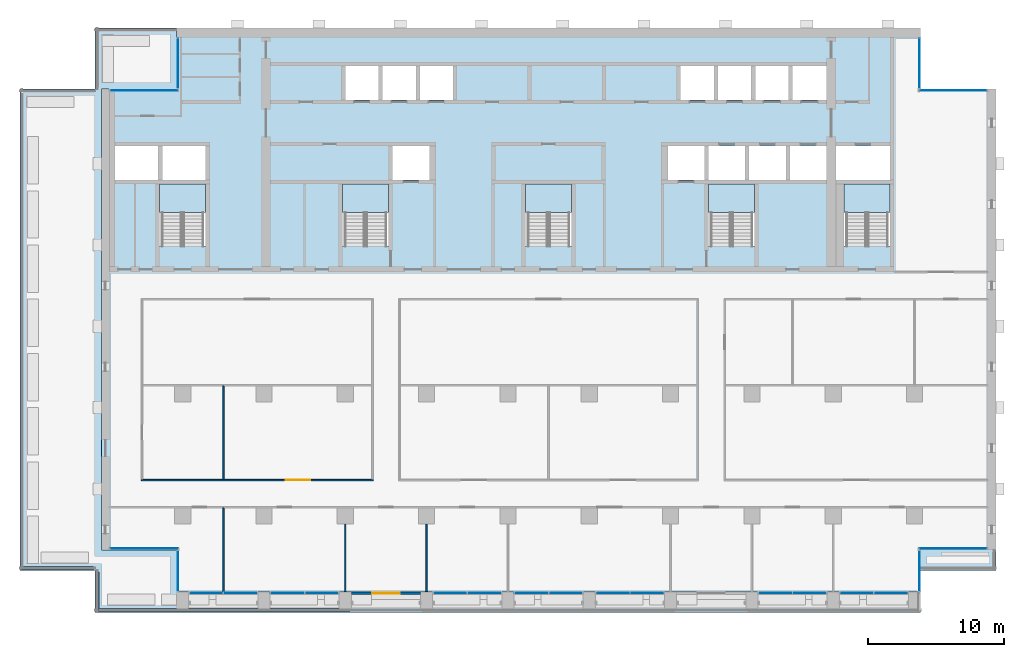
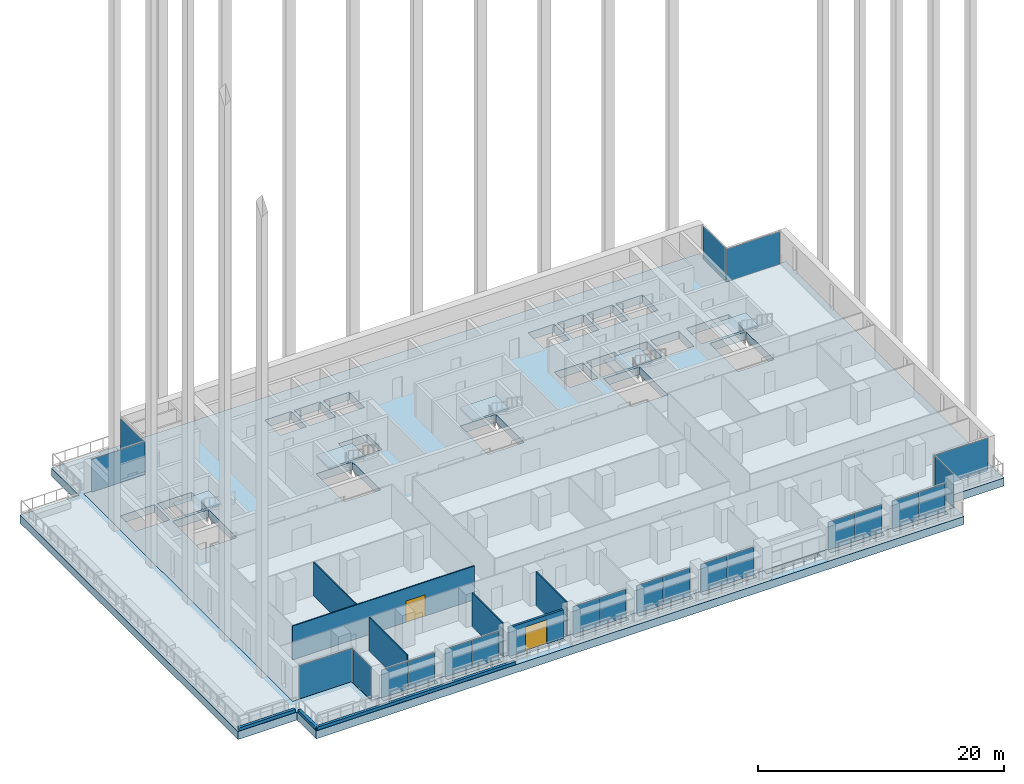
# One storey, part 7 of 19: 22 plates, 9 walls, 7 slabs, 2 doors, 2 openings, 20 elements without a shape of their own.
"""IFC4 building model written with IfcOpenShell, lengths in metres."""

from ifc_helpers import new_model, si_unit, direction, frame, frame_2d, origin, origin_2d, place, context, subcontext, project, spatial, polyline, rectangle, outline, extrude, material, layer, layer_set, type_object, element, fill, aggregate, save


model = new_model("IFC4")

# Units and contexts
model_context = context("Model", 3, precision=1e-05, world=origin(), true_north=direction((0.0, 1.0)))
body_context = subcontext(model_context, "Body", "Model", "MODEL_VIEW")
ifc_project = project(units=[si_unit("LENGTHUNIT", "METRE"), si_unit("AREAUNIT", "SQUARE_METRE"), si_unit("VOLUMEUNIT", "CUBIC_METRE"), si_unit("PLANEANGLEUNIT", "RADIAN"), si_unit("MASSUNIT", "GRAM", prefix="KILO")], contexts=[model_context])

# Site, building, storey
site_placement = place(None, origin())
site = spatial("IfcSite", under=ifc_project, at=site_placement, CompositionType="ELEMENT")
building_placement = place(site_placement, origin())
building = spatial("IfcBuilding", under=site, at=building_placement, Name="Calvaro Tower", CompositionType="ELEMENT")
storey_placement = place(building_placement, frame((0.0, 0.0, 166.75)))
storey = spatial("IfcBuildingStorey", under=building, at=storey_placement, Name="L41", CompositionType="ELEMENT", Elevation=166.75)

# Slab
ifc_material_1 = material(Name="Concrete C40/50", Category="concrete")
ifc_layer_1 = layer(ifc_material_1, 0.800048828125)
ifc_layer_set_1 = layer_set([ifc_layer_1], Name="Concrete C40/50")
slab_type_1 = type_object("IfcSlabType", Name="Floor slab 800 C40/50", PredefinedType="FLOOR", material=ifc_layer_set_1)
slab_1_placement = place(storey_placement, frame((0.0, 0.0, -0.800048828125)))
element("IfcSlab", 1, at=slab_1_placement, inside=storey, type_object=slab_type_1, Name="Floor slab", PredefinedType="FLOOR", context=body_context, shape_type="SweptSolid", body=[
    extrude(outline(polyline([(66.449951171875, 6.0), (66.449951171875, 4.39990234375), (11.550048828125, 4.39990234375), (11.550048828125, 7.5), (6.0, 7.5), (6.0, 41.5), (11.550048828125, 41.5), (11.550048828125, 46.0), (66.449951171875, 46.0), (66.449951171875, 41.5), (72.0, 41.5), (72.0, 7.5), (72.0, 6.0), (66.449951171875, 6.0)]), holes=[polyline([(10.300048828125, 29.909912109375), (10.300048828125, 34.5), (12.0, 34.5), (13.699951171875, 34.5), (13.699951171875, 29.909912109375), (12.0, 29.909912109375), (10.300048828125, 29.909912109375)]), polyline([(23.800048828125, 29.909912109375), (23.800048828125, 34.5), (25.5, 34.5), (27.199951171875, 34.5), (27.199951171875, 29.909912109375), (25.5, 29.909912109375), (23.800048828125, 29.909912109375)]), polyline([(37.300048828125, 29.909912109375), (37.300048828125, 34.5), (39.0, 34.5), (40.699951171875, 34.5), (40.699951171875, 29.909912109375), (39.0, 29.909912109375), (37.300048828125, 29.909912109375)]), polyline([(50.800048828125, 29.909912109375), (50.800048828125, 34.5), (52.5, 34.5), (54.199951171875, 34.5), (54.199951171875, 29.909912109375), (52.5, 29.909912109375), (50.800048828125, 29.909912109375)]), polyline([(60.800048828125, 29.909912109375), (60.800048828125, 34.5), (62.5, 34.5), (64.199951171875, 34.5), (64.199951171875, 29.909912109375), (62.5, 29.909912109375), (60.800048828125, 29.909912109375)]), polyline([(50.800048828125, 34.800048828125), (53.5, 34.800048828125), (53.5, 37.300048828125), (50.800048828125, 37.300048828125), (50.800048828125, 34.800048828125)]), polyline([(53.800048828125, 34.800048828125), (56.5, 34.800048828125), (56.5, 37.300048828125), (53.800048828125, 37.300048828125), (53.800048828125, 34.800048828125)]), polyline([(56.800048828125, 34.800048828125), (59.5, 34.800048828125), (59.5, 37.300048828125), (56.800048828125, 37.300048828125), (56.800048828125, 34.800048828125)]), polyline([(24.0, 40.699951171875), (26.449951171875, 40.699951171875), (26.449951171875, 43.199951171875), (24.0, 43.199951171875), (24.0, 40.699951171875)]), polyline([(26.75, 40.699951171875), (29.199951171875, 40.699951171875), (29.199951171875, 43.199951171875), (26.75, 43.199951171875), (26.75, 40.699951171875)]), polyline([(29.5, 40.699951171875), (31.949951171875, 40.699951171875), (31.949951171875, 43.199951171875), (29.5, 43.199951171875), (29.5, 40.699951171875)]), polyline([(48.75, 40.699951171875), (51.199951171875, 40.699951171875), (51.199951171875, 43.199951171875), (48.75, 43.199951171875), (48.75, 40.699951171875)]), polyline([(51.5, 40.699951171875), (53.949951171875, 40.699951171875), (53.949951171875, 43.199951171875), (51.5, 43.199951171875), (51.5, 40.699951171875)]), polyline([(54.25, 40.699951171875), (56.699951171875, 40.699951171875), (56.699951171875, 43.199951171875), (54.25, 43.199951171875), (54.25, 40.699951171875)]), polyline([(57.0, 40.699951171875), (59.5, 40.699951171875), (59.5, 43.199951171875), (57.0, 43.199951171875), (57.0, 40.699951171875)]), polyline([(7.0, 34.800048828125), (10.199951171875, 34.800048828125), (10.199951171875, 37.300048828125), (7.0, 37.300048828125), (7.0, 34.800048828125)]), polyline([(10.5, 34.800048828125), (13.699951171875, 34.800048828125), (13.699951171875, 37.300048828125), (10.5, 37.300048828125), (10.5, 34.800048828125)]), polyline([(60.199951171875, 34.800048828125), (64.199951171875, 34.800048828125), (64.199951171875, 37.300048828125), (60.199951171875, 37.300048828125), (60.199951171875, 34.800048828125)]), polyline([(27.5, 34.800048828125), (30.199951171875, 34.800048828125), (30.199951171875, 37.300048828125), (27.5, 37.300048828125), (27.5, 34.800048828125)]), polyline([(47.800048828125, 34.800048828125), (50.5, 34.800048828125), (50.5, 37.300048828125), (47.800048828125, 37.300048828125), (47.800048828125, 34.800048828125)])]), origin(), (0.0, 0.0, 1.0), 0.800048828125),
])

# Curtain wall, plates
ifc_material_2 = material(Name="Anodised aluminium", Category="aluminium")
curtain_wall_type = type_object("IfcCurtainWallType", Name="Office curtain wall, upper zone", PredefinedType="NOTDEFINED", material=ifc_material_2)
curtain_wall_1_placement = place(storey_placement, origin())
curtain_wall_1 = element("IfcCurtainWall", 2, at=curtain_wall_1_placement, inside=storey, type_object=curtain_wall_type, Name="CW3 south curtain wall", PredefinedType="NOTDEFINED")
ifc_material_3 = material(Name="Glass", Category="glass")
ifc_layer_2 = layer(ifc_material_3, 0.035888671875)
ifc_layer_set_2 = layer_set([ifc_layer_2], Name="Glass")
plate_type = type_object("IfcPlateType", Name="Glass panel S3 36", PredefinedType="CURTAIN_PANEL", material=ifc_layer_set_2)
plate_1_placement = place(storey_placement, frame((13.739990234375, 4.31005859375, 0.0), z_axis=(0.0, 0.0, 1.0), x_axis=(1.0, 0.0, 0.0)))
plate_1 = element("IfcPlate", 3, at=plate_1_placement, type_object=plate_type, Name="CW3 glass panel 1.1", PredefinedType="CURTAIN_PANEL", context=body_context, shape_type="SweptSolid", body=[
    extrude(rectangle(XDim=2.4599609375, YDim=0.035888671875, at=origin_2d()), origin(), (0.0, 0.0, 1.0), 2.75),
])
plate_2_placement = place(storey_placement, frame((16.260009765625, 4.31005859375, 0.0), z_axis=(0.0, 0.0, 1.0), x_axis=(1.0, 0.0, 0.0)))
plate_2 = element("IfcPlate", 4, at=plate_2_placement, type_object=plate_type, Name="CW3 glass panel 2.1", PredefinedType="CURTAIN_PANEL", context=body_context, shape_type="SweptSolid", body=[
    extrude(rectangle(XDim=2.4599609375, YDim=0.035888671875, at=origin_2d()), origin(), (0.0, 0.0, 1.0), 2.75),
])
aggregate(curtain_wall_1, [plate_1, plate_2])

curtain_wall_2_placement = place(storey_placement, origin())
curtain_wall_2 = element("IfcCurtainWall", 5, at=curtain_wall_2_placement, inside=storey, type_object=curtain_wall_type, Name="CW3 south curtain wall", PredefinedType="NOTDEFINED")
plate_3_placement = place(storey_placement, frame((19.739990234375, 4.31005859375, 0.0), z_axis=(0.0, 0.0, 1.0), x_axis=(1.0, 0.0, 0.0)))
plate_3 = element("IfcPlate", 6, at=plate_3_placement, type_object=plate_type, Name="CW3 glass panel 1.1", PredefinedType="CURTAIN_PANEL", context=body_context, shape_type="SweptSolid", body=[
    extrude(rectangle(XDim=2.4599609375, YDim=0.035888671875, at=origin_2d()), origin(), (0.0, 0.0, 1.0), 2.75),
])
plate_4_placement = place(storey_placement, frame((22.260009765625, 4.31005859375, 0.0), z_axis=(0.0, 0.0, 1.0), x_axis=(1.0, 0.0, 0.0)))
plate_4 = element("IfcPlate", 7, at=plate_4_placement, type_object=plate_type, Name="CW3 glass panel 2.1", PredefinedType="CURTAIN_PANEL", context=body_context, shape_type="SweptSolid", body=[
    extrude(rectangle(XDim=2.4599609375, YDim=0.035888671875, at=origin_2d()), origin(), (0.0, 0.0, 1.0), 2.75),
])
aggregate(curtain_wall_2, [plate_3, plate_4])

curtain_wall_3_placement = place(storey_placement, origin())
curtain_wall_3 = element("IfcCurtainWall", 8, at=curtain_wall_3_placement, inside=storey, type_object=curtain_wall_type, Name="CW3 south curtain wall", PredefinedType="NOTDEFINED")
plate_5_placement = place(storey_placement, frame((31.739990234375, 4.31005859375, 0.0), z_axis=(0.0, 0.0, 1.0), x_axis=(1.0, 0.0, 0.0)))
plate_5 = element("IfcPlate", 9, at=plate_5_placement, type_object=plate_type, Name="CW3 glass panel 1.1", PredefinedType="CURTAIN_PANEL", context=body_context, shape_type="SweptSolid", body=[
    extrude(rectangle(XDim=2.4599609375, YDim=0.035888671875, at=origin_2d()), origin(), (0.0, 0.0, 1.0), 2.75),
])
plate_6_placement = place(storey_placement, frame((34.260009765625, 4.31005859375, 0.0), z_axis=(0.0, 0.0, 1.0), x_axis=(1.0, 0.0, 0.0)))
plate_6 = element("IfcPlate", 10, at=plate_6_placement, type_object=plate_type, Name="CW3 glass panel 2.1", PredefinedType="CURTAIN_PANEL", context=body_context, shape_type="SweptSolid", body=[
    extrude(rectangle(XDim=2.4599609375, YDim=0.035888671875, at=origin_2d()), origin(), (0.0, 0.0, 1.0), 2.75),
])
aggregate(curtain_wall_3, [plate_5, plate_6])

curtain_wall_4_placement = place(storey_placement, origin())
curtain_wall_4 = element("IfcCurtainWall", 11, at=curtain_wall_4_placement, inside=storey, type_object=curtain_wall_type, Name="CW3 south curtain wall", PredefinedType="NOTDEFINED")
plate_7_placement = place(storey_placement, frame((37.739990234375, 4.31005859375, 0.0), z_axis=(0.0, 0.0, 1.0), x_axis=(1.0, 0.0, 0.0)))
plate_7 = element("IfcPlate", 12, at=plate_7_placement, type_object=plate_type, Name="CW3 glass panel 1.1", PredefinedType="CURTAIN_PANEL", context=body_context, shape_type="SweptSolid", body=[
    extrude(rectangle(XDim=2.4599609375, YDim=0.035888671875, at=origin_2d()), origin(), (0.0, 0.0, 1.0), 2.75),
])
plate_8_placement = place(storey_placement, frame((40.260009765625, 4.31005859375, 0.0), z_axis=(0.0, 0.0, 1.0), x_axis=(1.0, 0.0, 0.0)))
plate_8 = element("IfcPlate", 13, at=plate_8_placement, type_object=plate_type, Name="CW3 glass panel 2.1", PredefinedType="CURTAIN_PANEL", context=body_context, shape_type="SweptSolid", body=[
    extrude(rectangle(XDim=2.4599609375, YDim=0.035888671875, at=origin_2d()), origin(), (0.0, 0.0, 1.0), 2.75),
])
aggregate(curtain_wall_4, [plate_7, plate_8])

curtain_wall_5_placement = place(storey_placement, origin())
curtain_wall_5 = element("IfcCurtainWall", 14, at=curtain_wall_5_placement, inside=storey, type_object=curtain_wall_type, Name="CW3 south curtain wall", PredefinedType="NOTDEFINED")
plate_9_placement = place(storey_placement, frame((43.739990234375, 4.31005859375, 0.0), z_axis=(0.0, 0.0, 1.0), x_axis=(1.0, 0.0, 0.0)))
plate_9 = element("IfcPlate", 15, at=plate_9_placement, type_object=plate_type, Name="CW3 glass panel 1.1", PredefinedType="CURTAIN_PANEL", context=body_context, shape_type="SweptSolid", body=[
    extrude(rectangle(XDim=2.4599609375, YDim=0.035888671875, at=origin_2d()), origin(), (0.0, 0.0, 1.0), 2.75),
])
plate_10_placement = place(storey_placement, frame((46.260009765625, 4.31005859375, 0.0), z_axis=(0.0, 0.0, 1.0), x_axis=(1.0, 0.0, 0.0)))
plate_10 = element("IfcPlate", 16, at=plate_10_placement, type_object=plate_type, Name="CW3 glass panel 2.1", PredefinedType="CURTAIN_PANEL", context=body_context, shape_type="SweptSolid", body=[
    extrude(rectangle(XDim=2.4599609375, YDim=0.035888671875, at=origin_2d()), origin(), (0.0, 0.0, 1.0), 2.75),
])
aggregate(curtain_wall_5, [plate_9, plate_10])

curtain_wall_6_placement = place(storey_placement, origin())
curtain_wall_6 = element("IfcCurtainWall", 17, at=curtain_wall_6_placement, inside=storey, type_object=curtain_wall_type, Name="CW3 south curtain wall", PredefinedType="NOTDEFINED")
plate_11_placement = place(storey_placement, frame((55.739990234375, 4.31005859375, 0.0), z_axis=(0.0, 0.0, 1.0), x_axis=(1.0, 0.0, 0.0)))
plate_11 = element("IfcPlate", 18, at=plate_11_placement, type_object=plate_type, Name="CW3 glass panel 1.1", PredefinedType="CURTAIN_PANEL", context=body_context, shape_type="SweptSolid", body=[
    extrude(rectangle(XDim=2.4599609375, YDim=0.035888671875, at=origin_2d()), origin(), (0.0, 0.0, 1.0), 2.75),
])
plate_12_placement = place(storey_placement, frame((58.260009765625, 4.31005859375, 0.0), z_axis=(0.0, 0.0, 1.0), x_axis=(1.0, 0.0, 0.0)))
plate_12 = element("IfcPlate", 19, at=plate_12_placement, type_object=plate_type, Name="CW3 glass panel 2.1", PredefinedType="CURTAIN_PANEL", context=body_context, shape_type="SweptSolid", body=[
    extrude(rectangle(XDim=2.4599609375, YDim=0.035888671875, at=origin_2d()), origin(), (0.0, 0.0, 1.0), 2.75),
])
aggregate(curtain_wall_6, [plate_11, plate_12])

curtain_wall_7_placement = place(storey_placement, origin())
curtain_wall_7 = element("IfcCurtainWall", 20, at=curtain_wall_7_placement, inside=storey, type_object=curtain_wall_type, Name="CW3 south curtain wall", PredefinedType="NOTDEFINED")
plate_13_placement = place(storey_placement, frame((61.739990234375, 4.31005859375, 0.0), z_axis=(0.0, 0.0, 1.0), x_axis=(1.0, 0.0, 0.0)))
plate_13 = element("IfcPlate", 21, at=plate_13_placement, type_object=plate_type, Name="CW3 glass panel 1.1", PredefinedType="CURTAIN_PANEL", context=body_context, shape_type="SweptSolid", body=[
    extrude(rectangle(XDim=2.4599609375, YDim=0.035888671875, at=origin_2d()), origin(), (0.0, 0.0, 1.0), 2.75),
])
plate_14_placement = place(storey_placement, frame((64.260009765625, 4.31005859375, 0.0), z_axis=(0.0, 0.0, 1.0), x_axis=(1.0, 0.0, 0.0)))
plate_14 = element("IfcPlate", 22, at=plate_14_placement, type_object=plate_type, Name="CW3 glass panel 2.1", PredefinedType="CURTAIN_PANEL", context=body_context, shape_type="SweptSolid", body=[
    extrude(rectangle(XDim=2.4599609375, YDim=0.035888671875, at=origin_2d()), origin(), (0.0, 0.0, 1.0), 2.75),
])
aggregate(curtain_wall_7, [plate_13, plate_14])

# Curtain wall, plate
curtain_wall_8_placement = place(storey_placement, origin())
curtain_wall_8 = element("IfcCurtainWall", 23, at=curtain_wall_8_placement, inside=storey, type_object=curtain_wall_type, Name="CW3 corner curtain wall", PredefinedType="NOTDEFINED")
plate_15_placement = place(storey_placement, frame((11.639892578125, 5.949951171875, 0.0), z_axis=(0.0, 0.0, 1.0), x_axis=(0.0, 1.0, 0.0)))
plate_15 = element("IfcPlate", 24, at=plate_15_placement, type_object=plate_type, Name="CW3 glass panel 1.1", PredefinedType="CURTAIN_PANEL", context=body_context, shape_type="SweptSolid", body=[
    extrude(rectangle(XDim=2.97998046875, YDim=0.035888671875, at=origin_2d()), origin(), (0.0, 0.0, 1.0), 3.25),
])
aggregate(curtain_wall_8, [plate_15])

curtain_wall_9_placement = place(storey_placement, origin())
curtain_wall_9 = element("IfcCurtainWall", 25, at=curtain_wall_9_placement, inside=storey, type_object=curtain_wall_type, Name="CW3 corner curtain wall", PredefinedType="NOTDEFINED")
plate_16_placement = place(storey_placement, frame((9.1650390625, 7.590087890625, 0.0), z_axis=(0.0, 0.0, 1.0), x_axis=(1.0, 0.0, 0.0)))
plate_16 = element("IfcPlate", 26, at=plate_16_placement, type_object=plate_type, Name="CW3 glass panel 1.1", PredefinedType="CURTAIN_PANEL", context=body_context, shape_type="SweptSolid", body=[
    extrude(rectangle(XDim=5.010009765625, YDim=0.035888671875, at=origin_2d()), origin(), (0.0, 0.0, 1.0), 3.25),
])
aggregate(curtain_wall_9, [plate_16])

curtain_wall_10_placement = place(storey_placement, origin())
curtain_wall_10 = element("IfcCurtainWall", 27, at=curtain_wall_10_placement, inside=storey, type_object=curtain_wall_type, Name="CW3 corner curtain wall", PredefinedType="NOTDEFINED")
plate_17_placement = place(storey_placement, frame((11.639892578125, 43.39990234375, 0.0), z_axis=(0.0, 0.0, 1.0), x_axis=(0.0, 1.0, 0.0)))
plate_17 = element("IfcPlate", 28, at=plate_17_placement, type_object=plate_type, Name="CW3 glass panel 1.1", PredefinedType="CURTAIN_PANEL", context=body_context, shape_type="SweptSolid", body=[
    extrude(rectangle(XDim=3.679931640625, YDim=0.035888671875, at=origin_2d()), origin(), (0.0, 0.0, 1.0), 3.25),
])
aggregate(curtain_wall_10, [plate_17])

curtain_wall_11_placement = place(storey_placement, origin())
curtain_wall_11 = element("IfcCurtainWall", 29, at=curtain_wall_11_placement, inside=storey, type_object=curtain_wall_type, Name="CW3 corner curtain wall", PredefinedType="NOTDEFINED")
plate_18_placement = place(storey_placement, frame((9.1650390625, 41.409912109375, 0.0), z_axis=(0.0, 0.0, 1.0), x_axis=(1.0, 0.0, 0.0)))
plate_18 = element("IfcPlate", 30, at=plate_18_placement, type_object=plate_type, Name="CW3 glass panel 1.1", PredefinedType="CURTAIN_PANEL", context=body_context, shape_type="SweptSolid", body=[
    extrude(rectangle(XDim=5.010009765625, YDim=0.035888671875, at=origin_2d()), origin(), (0.0, 0.0, 1.0), 3.25),
])
aggregate(curtain_wall_11, [plate_18])

curtain_wall_12_placement = place(storey_placement, origin())
curtain_wall_12 = element("IfcCurtainWall", 31, at=curtain_wall_12_placement, inside=storey, type_object=curtain_wall_type, Name="CW3 corner curtain wall", PredefinedType="NOTDEFINED")
plate_19_placement = place(storey_placement, frame((66.360107421875, 5.949951171875, 0.0), z_axis=(0.0, 0.0, 1.0), x_axis=(0.0, 1.0, 0.0)))
plate_19 = element("IfcPlate", 32, at=plate_19_placement, type_object=plate_type, Name="CW3 glass panel 1.1", PredefinedType="CURTAIN_PANEL", context=body_context, shape_type="SweptSolid", body=[
    extrude(rectangle(XDim=2.97998046875, YDim=0.035888671875, at=origin_2d()), origin(), (0.0, 0.0, 1.0), 3.25),
])
aggregate(curtain_wall_12, [plate_19])

curtain_wall_13_placement = place(storey_placement, origin())
curtain_wall_13 = element("IfcCurtainWall", 33, at=curtain_wall_13_placement, inside=storey, type_object=curtain_wall_type, Name="CW3 corner curtain wall", PredefinedType="NOTDEFINED")
plate_20_placement = place(storey_placement, frame((68.8349609375, 7.590087890625, 0.0), z_axis=(0.0, 0.0, 1.0), x_axis=(1.0, 0.0, 0.0)))
plate_20 = element("IfcPlate", 34, at=plate_20_placement, type_object=plate_type, Name="CW3 glass panel 1.1", PredefinedType="CURTAIN_PANEL", context=body_context, shape_type="SweptSolid", body=[
    extrude(rectangle(XDim=5.010009765625, YDim=0.035888671875, at=origin_2d()), origin(), (0.0, 0.0, 1.0), 3.25),
])
aggregate(curtain_wall_13, [plate_20])

curtain_wall_14_placement = place(storey_placement, origin())
curtain_wall_14 = element("IfcCurtainWall", 35, at=curtain_wall_14_placement, inside=storey, type_object=curtain_wall_type, Name="CW3 corner curtain wall", PredefinedType="NOTDEFINED")
plate_21_placement = place(storey_placement, frame((66.360107421875, 43.39990234375, 0.0), z_axis=(0.0, 0.0, 1.0), x_axis=(0.0, 1.0, 0.0)))
plate_21 = element("IfcPlate", 36, at=plate_21_placement, type_object=plate_type, Name="CW3 glass panel 1.1", PredefinedType="CURTAIN_PANEL", context=body_context, shape_type="SweptSolid", body=[
    extrude(rectangle(XDim=3.679931640625, YDim=0.035888671875, at=origin_2d()), origin(), (0.0, 0.0, 1.0), 3.25),
])
aggregate(curtain_wall_14, [plate_21])

curtain_wall_15_placement = place(storey_placement, origin())
curtain_wall_15 = element("IfcCurtainWall", 37, at=curtain_wall_15_placement, inside=storey, type_object=curtain_wall_type, Name="CW3 corner curtain wall", PredefinedType="NOTDEFINED")
plate_22_placement = place(storey_placement, frame((68.8349609375, 41.409912109375, 0.0), z_axis=(0.0, 0.0, 1.0), x_axis=(1.0, 0.0, 0.0)))
plate_22 = element("IfcPlate", 38, at=plate_22_placement, type_object=plate_type, Name="CW3 glass panel 1.1", PredefinedType="CURTAIN_PANEL", context=body_context, shape_type="SweptSolid", body=[
    extrude(rectangle(XDim=5.010009765625, YDim=0.035888671875, at=origin_2d()), origin(), (0.0, 0.0, 1.0), 3.25),
])
aggregate(curtain_wall_15, [plate_22])

# Stair, slab
ifc_material_4 = material(Name="Concrete C40/50", Category="concrete")
stair_type = type_object("IfcStairType", Name="Exit stair 1400 2 flights", PredefinedType="HALF_TURN_STAIR", material=ifc_material_4)
stair_1_placement = place(storey_placement, origin())
stair_1 = element("IfcStair", 39, at=stair_1_placement, inside=storey, type_object=stair_type, Name="Exit stair S1", PredefinedType="HALF_TURN_STAIR")
ifc_material_5 = material(Name="Concrete C40/50", Category="concrete")
ifc_layer_3 = layer(ifc_material_5, 0.199951171875)
ifc_layer_set_3 = layer_set([ifc_layer_3], Name="Concrete C40/50")
slab_type_2 = type_object("IfcSlabType", Name="Stair landing", PredefinedType="LANDING", material=ifc_layer_set_3)
slab_2_placement = place(storey_placement, frame((0.0, 0.0, 1.675048828125)))
slab_2 = element("IfcSlab", 40, at=slab_2_placement, type_object=slab_type_2, Name="Exit stair 1, landing 1", PredefinedType="LANDING", context=body_context, shape_type="SweptSolid", body=[
    extrude(outline(polyline([(11.89990234375, 32.389892578125), (10.5, 32.389892578125), (10.5, 32.39990234375), (10.300048828125, 32.39990234375), (10.300048828125, 34.5), (10.5, 34.5), (11.89990234375, 34.5), (12.10009765625, 34.5), (13.5, 34.5), (13.699951171875, 34.5), (13.699951171875, 32.39990234375), (13.5, 32.39990234375), (13.5, 32.389892578125), (12.10009765625, 32.389892578125), (12.10009765625, 32.39990234375), (11.89990234375, 32.39990234375), (11.89990234375, 32.389892578125)])), origin(), (0.0, 0.0, 1.0), 0.199951171875),
])
aggregate(stair_1, [slab_2])

stair_2_placement = place(storey_placement, origin())
stair_2 = element("IfcStair", 41, at=stair_2_placement, inside=storey, type_object=stair_type, Name="Exit stair S2", PredefinedType="HALF_TURN_STAIR")
slab_3_placement = place(storey_placement, frame((0.0, 0.0, 1.675048828125)))
slab_3 = element("IfcSlab", 42, at=slab_3_placement, type_object=slab_type_2, Name="Exit stair 2, landing 1", PredefinedType="LANDING", context=body_context, shape_type="SweptSolid", body=[
    extrude(outline(polyline([(25.39990234375, 32.389892578125), (24.0, 32.389892578125), (24.0, 32.39990234375), (23.800048828125, 32.39990234375), (23.800048828125, 34.5), (24.0, 34.5), (25.39990234375, 34.5), (25.60009765625, 34.5), (27.0, 34.5), (27.199951171875, 34.5), (27.199951171875, 32.39990234375), (27.0, 32.39990234375), (27.0, 32.389892578125), (25.60009765625, 32.389892578125), (25.60009765625, 32.39990234375), (25.39990234375, 32.39990234375), (25.39990234375, 32.389892578125)])), origin(), (0.0, 0.0, 1.0), 0.199951171875),
])
aggregate(stair_2, [slab_3])

stair_3_placement = place(storey_placement, origin())
stair_3 = element("IfcStair", 43, at=stair_3_placement, inside=storey, type_object=stair_type, Name="Exit stair S3", PredefinedType="HALF_TURN_STAIR")
slab_4_placement = place(storey_placement, frame((0.0, 0.0, 1.675048828125)))
slab_4 = element("IfcSlab", 44, at=slab_4_placement, type_object=slab_type_2, Name="Exit stair 3, landing 1", PredefinedType="LANDING", context=body_context, shape_type="SweptSolid", body=[
    extrude(outline(polyline([(38.89990234375, 32.389892578125), (37.5, 32.389892578125), (37.5, 32.39990234375), (37.300048828125, 32.39990234375), (37.300048828125, 34.5), (37.5, 34.5), (38.89990234375, 34.5), (39.10009765625, 34.5), (40.5, 34.5), (40.699951171875, 34.5), (40.699951171875, 32.39990234375), (40.5, 32.39990234375), (40.5, 32.389892578125), (39.10009765625, 32.389892578125), (39.10009765625, 32.39990234375), (38.89990234375, 32.39990234375), (38.89990234375, 32.389892578125)])), origin(), (0.0, 0.0, 1.0), 0.199951171875),
])
aggregate(stair_3, [slab_4])

stair_4_placement = place(storey_placement, origin())
stair_4 = element("IfcStair", 45, at=stair_4_placement, inside=storey, type_object=stair_type, Name="Exit stair S4", PredefinedType="HALF_TURN_STAIR")
slab_5_placement = place(storey_placement, frame((0.0, 0.0, 1.675048828125)))
slab_5 = element("IfcSlab", 46, at=slab_5_placement, type_object=slab_type_2, Name="Exit stair 4, landing 1", PredefinedType="LANDING", context=body_context, shape_type="SweptSolid", body=[
    extrude(outline(polyline([(52.39990234375, 32.389892578125), (51.0, 32.389892578125), (51.0, 32.39990234375), (50.800048828125, 32.39990234375), (50.800048828125, 34.5), (51.0, 34.5), (52.39990234375, 34.5), (52.60009765625, 34.5), (54.0, 34.5), (54.199951171875, 34.5), (54.199951171875, 32.39990234375), (54.0, 32.39990234375), (54.0, 32.389892578125), (52.60009765625, 32.389892578125), (52.60009765625, 32.39990234375), (52.39990234375, 32.39990234375), (52.39990234375, 32.389892578125)])), origin(), (0.0, 0.0, 1.0), 0.199951171875),
])
aggregate(stair_4, [slab_5])

stair_5_placement = place(storey_placement, origin())
stair_5 = element("IfcStair", 47, at=stair_5_placement, inside=storey, type_object=stair_type, Name="Exit stair S5", PredefinedType="HALF_TURN_STAIR")
slab_6_placement = place(storey_placement, frame((0.0, 0.0, 1.675048828125)))
slab_6 = element("IfcSlab", 48, at=slab_6_placement, type_object=slab_type_2, Name="Exit stair 5, landing 1", PredefinedType="LANDING", context=body_context, shape_type="SweptSolid", body=[
    extrude(outline(polyline([(62.39990234375, 32.389892578125), (61.0, 32.389892578125), (61.0, 32.39990234375), (60.800048828125, 32.39990234375), (60.800048828125, 34.5), (61.0, 34.5), (62.39990234375, 34.5), (62.60009765625, 34.5), (64.0, 34.5), (64.199951171875, 34.5), (64.199951171875, 32.39990234375), (64.0, 32.39990234375), (64.0, 32.389892578125), (62.60009765625, 32.389892578125), (62.60009765625, 32.39990234375), (62.39990234375, 32.39990234375), (62.39990234375, 32.389892578125)])), origin(), (0.0, 0.0, 1.0), 0.199951171875),
])
aggregate(stair_5, [slab_6])

# Slab
ifc_material_6 = material(Name="Concrete C40/50", Category="concrete")
ifc_layer_4 = layer(ifc_material_6, 0.800048828125)
ifc_layer_set_4 = layer_set([ifc_layer_4], Name="Concrete C40/50")
slab_type_3 = type_object("IfcSlabType", Name="Terrace slab 800 C40/50", PredefinedType="ROOF", material=ifc_layer_set_4)
slab_7_placement = place(storey_placement, frame((0.0, 0.0, -0.800048828125)))
element("IfcSlab", 49, at=slab_7_placement, inside=storey, type_object=slab_type_3, Name="Terrace slab", PredefinedType="ROOF", context=body_context, shape_type="SweptSolid", body=[
    extrude(outline(polyline([(5.550048828125, 2.89990234375), (5.550048828125, 6.0), (0.0, 6.0), (0.0, 41.5), (5.550048828125, 41.5), (5.550048828125, 46.0), (11.550048828125, 46.0), (11.550048828125, 41.5), (6.0, 41.5), (6.0, 7.5), (11.550048828125, 7.5), (11.550048828125, 4.39990234375), (12.449951171875, 4.39990234375), (12.449951171875, 3.85009765625), (17.550048828125, 3.85009765625), (17.550048828125, 4.39990234375), (18.449951171875, 4.39990234375), (18.449951171875, 3.85009765625), (23.550048828125, 3.85009765625), (23.550048828125, 4.39990234375), (24.449951171875, 4.39990234375), (24.449951171875, 3.85009765625), (29.550048828125, 3.85009765625), (29.550048828125, 4.39990234375), (30.449951171875, 4.39990234375), (30.449951171875, 3.85009765625), (35.550048828125, 3.85009765625), (35.550048828125, 4.39990234375), (36.449951171875, 4.39990234375), (36.449951171875, 3.85009765625), (41.550048828125, 3.85009765625), (41.550048828125, 4.39990234375), (42.449951171875, 4.39990234375), (42.449951171875, 3.85009765625), (47.550048828125, 3.85009765625), (47.550048828125, 4.39990234375), (48.449951171875, 4.39990234375), (48.449951171875, 3.85009765625), (53.550048828125, 3.85009765625), (53.550048828125, 4.39990234375), (54.449951171875, 4.39990234375), (54.449951171875, 3.85009765625), (59.550048828125, 3.85009765625), (59.550048828125, 4.39990234375), (60.449951171875, 4.39990234375), (60.449951171875, 3.85009765625), (65.550048828125, 3.85009765625), (65.550048828125, 4.39990234375), (66.449951171875, 4.39990234375), (66.449951171875, 2.89990234375), (5.550048828125, 2.89990234375)])), origin(), (0.0, 0.0, 1.0), 0.800048828125),
])

# Wall, opening, door
ifc_material_7 = material(Name="Anodised aluminium", Category="aluminium")
ifc_layer_5 = layer(ifc_material_7, 0.199951171875)
ifc_layer_set_5 = layer_set([ifc_layer_5], Name="Anodised aluminium")
wall_type_1 = type_object("IfcWallType", Name="Insulated door wall 200", PredefinedType="SOLIDWALL", material=ifc_layer_set_5)
wall_1_placement = place(storey_placement, frame((24.449951171875, 4.300048828125, 0.0), z_axis=(0.0, 0.0, 1.0), x_axis=(1.0, 0.0, 0.0)))
wall_1 = element("IfcWall", 50, at=wall_1_placement, inside=storey, type_object=wall_type_1, Name="Door wall", PredefinedType="SOLIDWALL", context=body_context, shape_type="SweptSolid", body=[
    extrude(rectangle(XDim=5.10009765625, YDim=0.199951171875, at=frame_2d((2.550048828125, 0.0))), origin(), (0.0, 0.0, 1.0), 2.85009765625),
])
opening_1_placement = place(wall_1_placement, frame((1.550048828125, 0.0, 0.0)))
opening_1 = element("IfcOpeningElement", 51, at=opening_1_placement, cuts=wall_1, Name="Opening DT16", PredefinedType="OPENING", context=body_context, shape_type="SweptSolid", body=[
    extrude(rectangle(XDim=2.0, YDim=2.39990234375, at=frame_2d((1.0, 1.199951171875))), frame((0.0, 0.10986328125, 0.0), z_axis=(0.0, -1.0, 0.0), x_axis=(1.0, 0.0, 0.0)), (0.0, 0.0, 1.0), 0.219970703125),
])
ifc_material_8 = material(Name="Glass", Category="glass")
door_type_1 = type_object("IfcDoorType", Name="Terrace door pair 2000 x 2400", OperationType="DOUBLE_DOOR_SINGLE_SWING", PredefinedType="DOOR", material=ifc_material_8)
door_1_placement = place(opening_1_placement, frame((2.0, 0.0, 0.0), z_axis=(0.0, 0.0, 1.0), x_axis=(-1.0, 0.0, 0.0)))
door_1 = element("IfcDoor", 52, at=door_1_placement, inside=storey, type_object=door_type_1, Name="Terrace door", OperationType="DOUBLE_DOOR_SINGLE_SWING", OverallHeight=2.39990234375, OverallWidth=2.0, PredefinedType="DOOR", context=body_context, shape_type="SweptSolid", body=[
    extrude(rectangle(XDim=2.0, YDim=2.39990234375, at=frame_2d((1.0, 1.199951171875))), frame((0.0, 0.02490234375, 0.0), z_axis=(0.0, -1.0, 0.0), x_axis=(1.0, 0.0, 0.0)), (0.0, 0.0, 1.0), 0.050048828125),
])
fill(opening_1, door_1)

ifc_material_9 = material(Name="Plasterboard on steel studs", Category="steel")
ifc_layer_6 = layer(ifc_material_9, 0.10009765625)
ifc_layer_set_6 = layer_set([ifc_layer_6], Name="Plasterboard on steel studs")
wall_type_2 = type_object("IfcWallType", Name="Partition 100", PredefinedType="PARTITIONING", material=ifc_layer_set_6)
wall_2_placement = place(storey_placement, frame((8.949951171875, 12.64990234375, 0.0), z_axis=(0.0, 0.0, 1.0), x_axis=(1.0, 0.0, 0.0)))
wall_2 = element("IfcWall", 53, at=wall_2_placement, inside=storey, type_object=wall_type_2, Name="Partition T42.W002", PredefinedType="PARTITIONING", context=body_context, shape_type="SweptSolid", body=[
    extrude(rectangle(XDim=17.10009765625, YDim=0.10009765625, at=frame_2d((8.550048828125, 0.0))), origin(), (0.0, 0.0, 1.0), 3.35009765625),
])
opening_2_placement = place(wall_2_placement, frame((10.64990234375, 0.0, 0.0)))
opening_2 = element("IfcOpeningElement", 54, at=opening_2_placement, cuts=wall_2, Name="Opening T42.010", PredefinedType="OPENING", context=body_context, shape_type="SweptSolid", body=[
    extrude(rectangle(XDim=1.800048828125, YDim=2.10009765625, at=frame_2d((0.89990234375, 1.050048828125))), frame((0.0, 0.06005859375, 0.0), z_axis=(0.0, -1.0, 0.0), x_axis=(1.0, 0.0, 0.0)), (0.0, 0.0, 1.0), 0.1201171875),
])
ifc_material_10 = material(Name="Timber", Category="wood")
door_type_2 = type_object("IfcDoorType", Name="Internal double door 1800 x 2100", OperationType="DOUBLE_DOOR_SINGLE_SWING", PredefinedType="DOOR", material=ifc_material_10)
door_2_placement = place(opening_2_placement, origin())
door_2 = element("IfcDoor", 55, at=door_2_placement, inside=storey, type_object=door_type_2, Name="Door T42.010", OperationType="DOUBLE_DOOR_SINGLE_SWING", OverallHeight=2.10009765625, OverallWidth=1.800048828125, PredefinedType="DOOR", context=body_context, shape_type="SweptSolid", body=[
    extrude(rectangle(XDim=1.800048828125, YDim=2.10009765625, at=frame_2d((0.89990234375, 1.050048828125))), frame((0.0, 0.02490234375, 0.0), z_axis=(0.0, -1.0, 0.0), x_axis=(1.0, 0.0, 0.0)), (0.0, 0.0, 1.0), 0.050048828125),
])
fill(opening_2, door_2)

# Walls
wall_3_placement = place(storey_placement, frame((15.0, 4.39990234375, 0.0), z_axis=(0.0, 0.0, 1.0), x_axis=(0.0, 1.0, 0.0)))
element("IfcWall", 56, at=wall_3_placement, inside=storey, type_object=wall_type_2, Name="Partition T42.W013", PredefinedType="PARTITIONING", context=body_context, shape_type="SweptSolid", body=[
    extrude(rectangle(XDim=6.2001953125, YDim=0.10009765625, at=frame_2d((3.10009765625, 0.0))), origin(), (0.0, 0.0, 1.0), 3.35009765625),
])
wall_4_placement = place(storey_placement, frame((15.0, 12.699951171875, 0.0), z_axis=(0.0, 0.0, 1.0), x_axis=(0.0, 1.0, 0.0)))
element("IfcWall", 57, at=wall_4_placement, inside=storey, type_object=wall_type_2, Name="Partition T42.W014", PredefinedType="PARTITIONING", context=body_context, shape_type="SweptSolid", body=[
    extrude(rectangle(XDim=6.900146484375, YDim=0.10009765625, at=frame_2d((3.4501953125, 0.0))), origin(), (0.0, 0.0, 1.0), 3.35009765625),
])
for number, where, z_axis, x_axis, name in (
    (58, (24.0, 4.39990234375, 0.0), (0.0, 0.0, 1.0), (0.0, 1.0, 0.0), "Partition T42.W015"),
    (59, (30.0, 4.39990234375, 0.0), (0.0, 0.0, 1.0), (0.0, 1.0, 0.0), "Partition T42.W018"),
):
    element("IfcWall", number, at=place(storey_placement, frame(where, z_axis=z_axis, x_axis=x_axis)), inside=storey, type_object=wall_type_2, Name=name, PredefinedType="PARTITIONING", context=body_context, shape_type="SweptSolid", body=[
        extrude(rectangle(XDim=5.0, YDim=0.10009765625, at=frame_2d((2.5, 0.0))), origin(), (0.0, 0.0, 1.0), 3.35009765625),
    ])
ifc_material_11 = material(Name="Concrete C40/50", Category="concrete")
ifc_layer_7 = layer(ifc_material_11, 0.199951171875, Name="Structure")
ifc_material_12 = material(Name="Reconstituted stone coping")
ifc_layer_8 = layer(ifc_material_12, 0.050048828125, Name="Finish")
ifc_layer_set_7 = layer_set([ifc_layer_7, ifc_layer_8], Name="Concrete C40/50")
wall_type_3 = type_object("IfcWallType", Name="Terrace edge kerb 250", PredefinedType="PARAPET", material=ifc_layer_set_7)
wall_5_placement = place(storey_placement, frame((5.699951171875, 3.02490234375, 0.0), z_axis=(0.0, 0.0, 1.0), x_axis=(0.0, 1.0, 0.0)))
element("IfcWall", 60, at=wall_5_placement, inside=storey, type_object=wall_type_3, Name="Terrace edge kerb", PredefinedType="PARAPET", context=body_context, shape_type="SweptSolid", body=[
    extrude(rectangle(XDim=2.85009765625, YDim=0.25, at=frame_2d((1.425048828125, 0.0))), origin(), (0.0, 0.0, 1.0), 0.300048828125),
])
wall_6_placement = place(storey_placement, frame((5.425048828125, 6.14990234375, 0.0), z_axis=(0.0, 0.0, 1.0), x_axis=(-1.0, 0.0, 0.0)))
element("IfcWall", 61, at=wall_6_placement, inside=storey, type_object=wall_type_3, Name="Terrace edge kerb", PredefinedType="PARAPET", context=body_context, shape_type="SweptSolid", body=[
    extrude(rectangle(XDim=5.300048828125, YDim=0.25, at=frame_2d((2.64990234375, 0.0))), origin(), (0.0, 0.0, 1.0), 0.300048828125),
])
wall_7_placement = place(storey_placement, frame((5.675048828125, 3.050048828125, 0.0), z_axis=(0.0, 0.0, 1.0), x_axis=(1.0, 0.0, 0.0)))
element("IfcWall", 62, at=wall_7_placement, inside=storey, type_object=wall_type_3, Name="Terrace edge kerb", PredefinedType="PARAPET", context=body_context, shape_type="SweptSolid", body=[
    extrude(rectangle(XDim=18.64990234375, YDim=0.25, at=frame_2d((9.324951171875, 0.0))), origin(), (0.0, 0.0, 1.0), 0.300048828125),
])

save(model, "model.ifc")
